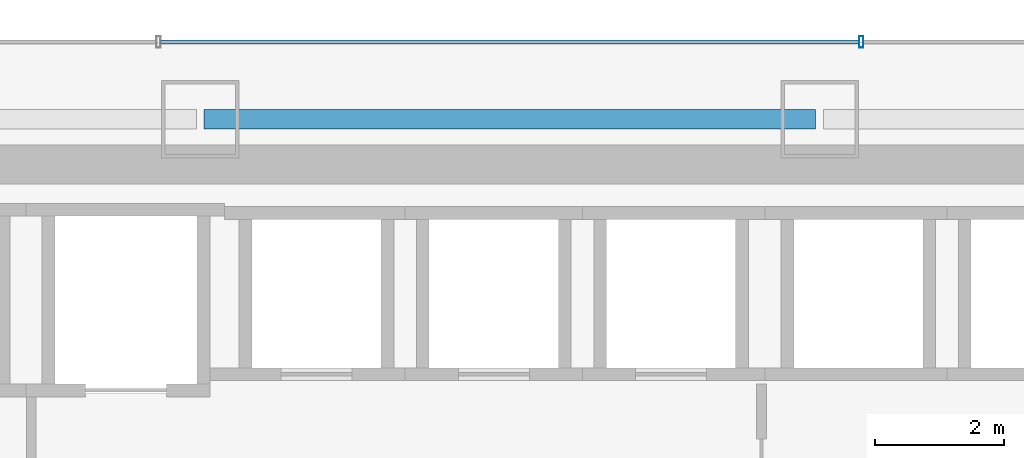
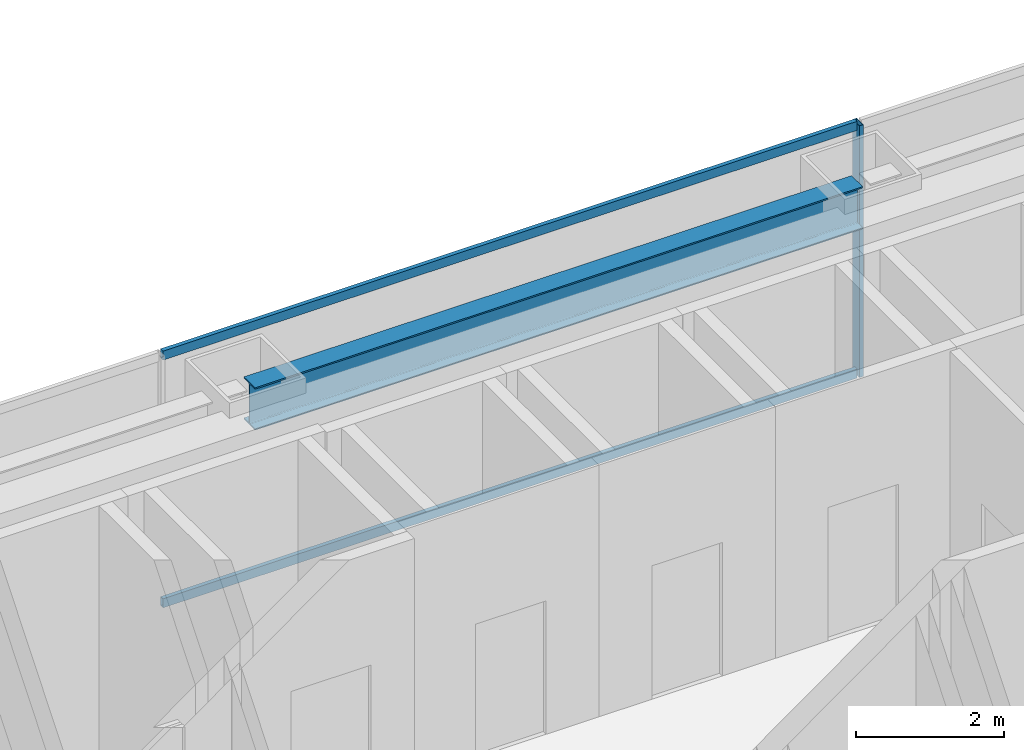
# One storey, part 28 of 47: 3 members, 1 beam, 1 element without a shape of its own.
"""IFC4 building model written with IfcOpenShell, lengths in metres."""

from ifc_helpers import new_model, si_unit, direction, frame, origin, origin_2d, place, context, subcontext, project, spatial, hollow_rectangle, i_section, extrude, material, material_profile, profile_set, type_object, element, aggregate, save


model = new_model("IFC4")

# Units and contexts
model_context = context("Model", 3, precision=1e-05, world=origin(), true_north=direction((0.0, 1.0)))
body_context = subcontext(model_context, "Body", "Model", "MODEL_VIEW")
ifc_project = project(units=[si_unit("LENGTHUNIT", "METRE"), si_unit("AREAUNIT", "SQUARE_METRE"), si_unit("VOLUMEUNIT", "CUBIC_METRE"), si_unit("PLANEANGLEUNIT", "RADIAN"), si_unit("MASSUNIT", "GRAM", prefix="KILO")], contexts=[model_context])

# Site, building, storey
site_placement = place(None, origin())
site = spatial("IfcSite", under=ifc_project, at=site_placement, CompositionType="ELEMENT")
building_placement = place(site_placement, origin())
building = spatial("IfcBuilding", under=site, at=building_placement, Name="Saevonmaru Cultural Tower", CompositionType="ELEMENT")
storey_placement = place(building_placement, frame((0.0, 0.0, 51.60009765625)))
storey = spatial("IfcBuildingStorey", under=building, at=storey_placement, Name="L10", CompositionType="ELEMENT", Elevation=51.60009765625)

# Beam
ifc_material_1 = material(Name="Steel SM355", Category="steel")
ifc_material_profile_1 = material_profile(ifc_material_1, i_section(OverallWidth=0.300048828125, OverallDepth=0.699951171875, WebThickness=0.012939453125, FlangeThickness=0.02392578125, FilletRadius=0.02587890625, at=origin_2d()), Name="H-700x300x13x24")
ifc_profile_set_1 = profile_set([ifc_material_profile_1], Name="Steel SM355")
beam_type = type_object("IfcBeamType", Name="BM-SP-H700", PredefinedType="SPANDREL", material=ifc_profile_set_1)
beam_placement = place(storey_placement, frame((25.260009765625, 54.800048828125, 3.7998046875), z_axis=(1.0, 0.0, 0.0), x_axis=(0.0, 1.0, 0.0)))
element("IfcBeam", 1, at=beam_placement, inside=storey, type_object=beam_type, Name="L10 North Spine Girder 3", PredefinedType="SPANDREL", context=body_context, shape_type="SweptSolid", body=[
    extrude(i_section(OverallWidth=0.300048828125, OverallDepth=0.699951171875, WebThickness=0.012939453125, FlangeThickness=0.02392578125, FilletRadius=0.02587890625, at=origin_2d()), origin(), (0.0, 0.0, 1.0), 9.47998046875),
])

# Curtain wall, members
ifc_material_2 = material(Name="Satin Bronze Anodised Aluminium", Category="aluminium")
curtain_wall_type = type_object("IfcCurtainWallType", Name="CW-TYP-A", PredefinedType="NOTDEFINED", material=ifc_material_2)
curtain_wall_placement = place(storey_placement, origin())
curtain_wall = element("IfcCurtainWall", 2, at=curtain_wall_placement, inside=storey, type_object=curtain_wall_type, Name="L10 North Spine Unitised Curtain Wall E10B", PredefinedType="NOTDEFINED")
ifc_material_profile_2 = material_profile(ifc_material_2, hollow_rectangle(XDim=0.06494140625, YDim=0.179931640625, WallThickness=0.00390625, at=origin_2d()), Name="ALU-MULL-180x65x4")
ifc_profile_set_2 = profile_set([ifc_material_profile_2], Name="Satin Bronze Anodised Aluminium")
member_type_1 = type_object("IfcMemberType", Name="ML-CW-180x65", PredefinedType="MULLION", material=ifc_profile_set_2)
member_1_placement = place(storey_placement, frame((35.44677734375, 56.0, 0.0), z_axis=(0.0, 0.0, 1.0), x_axis=(-1.0, 0.0, 0.0)))
member_1 = element("IfcMember", 3, at=member_1_placement, type_object=member_type_1, Name="CW-TW-L10-E10B mullion 2", PredefinedType="MULLION", context=body_context, shape_type="SweptSolid", body=[
    extrude(hollow_rectangle(XDim=0.06494140625, YDim=0.179931640625, WallThickness=0.00390625, at=origin_2d()), origin(), (0.0, 0.0, 1.0), 4.14990234375),
])
ifc_material_profile_3 = material_profile(ifc_material_2, hollow_rectangle(XDim=0.06494140625, YDim=0.14990234375, WallThickness=0.00390625, at=origin_2d()), Name="ALU-TRAN-150x65x4")
ifc_profile_set_3 = profile_set([ifc_material_profile_3], Name="Satin Bronze Anodised Aluminium")
member_type_2 = type_object("IfcMemberType", Name="TR-CW-150x65", PredefinedType="USERDEFINED", material=ifc_profile_set_3)
member_2_placement = place(storey_placement, frame((35.4140625, 56.0, 0.032470703125), z_axis=(-1.0, 0.0, 0.0), x_axis=(0.0, -1.0, 0.0)))
member_2 = element("IfcMember", 4, at=member_2_placement, type_object=member_type_2, Name="CW-TW-L10-E10B transom 2.1", ObjectType="TRANSOM", PredefinedType="USERDEFINED", context=body_context, shape_type="SweptSolid", body=[
    extrude(hollow_rectangle(XDim=0.06494140625, YDim=0.14990234375, WallThickness=0.00390625, at=origin_2d()), origin(), (0.0, 0.0, 1.0), 10.828125),
])
member_3_placement = place(storey_placement, frame((35.4140625, 56.0, 4.117431640625), z_axis=(-1.0, 0.0, 0.0), x_axis=(0.0, -1.0, 0.0)))
member_3 = element("IfcMember", 5, at=member_3_placement, type_object=member_type_2, Name="CW-TW-L10-E10B transom 2.2", ObjectType="TRANSOM", PredefinedType="USERDEFINED", context=body_context, shape_type="SweptSolid", body=[
    extrude(hollow_rectangle(XDim=0.06494140625, YDim=0.14990234375, WallThickness=0.00390625, at=origin_2d()), origin(), (0.0, 0.0, 1.0), 10.828125),
])
aggregate(curtain_wall, [member_1, member_2, member_3])

save(model, "model.ifc")
